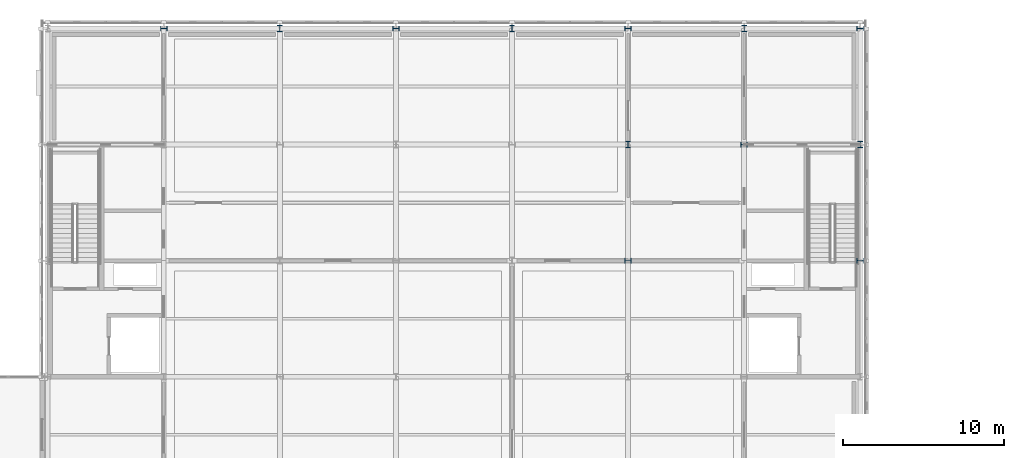
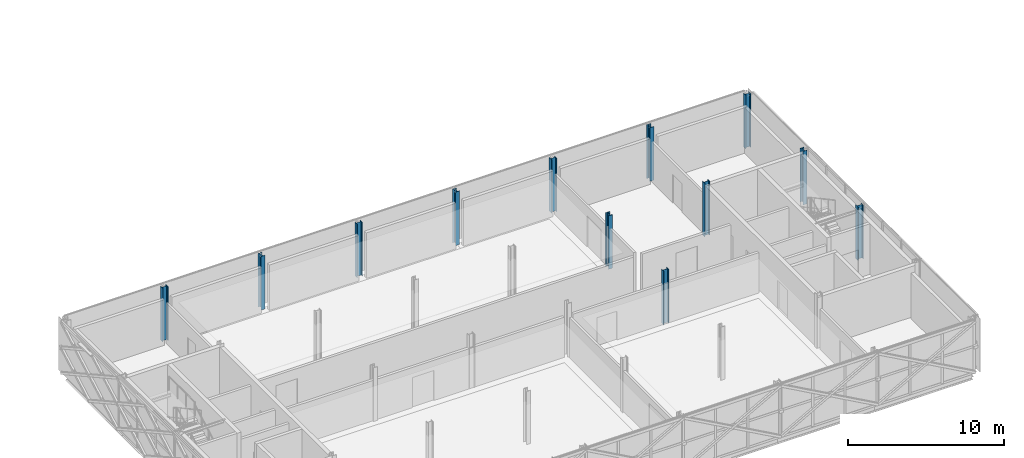
# One storey, part 13 of 126: 12 columns.
"""IFC4 building model written with IfcOpenShell, lengths in metres."""

from ifc_helpers import new_model, si_unit, direction, frame, origin, origin_2d, place, context, subcontext, project, spatial, i_section, extrude, material, material_profile, profile_set, type_object, element, save


model = new_model("IFC4")

# Units and contexts
model_context = context("Model", 3, precision=1e-05, world=origin(), true_north=direction((0.0, 1.0)))
body_context = subcontext(model_context, "Body", "Model", "MODEL_VIEW")
ifc_project = project(units=[si_unit("LENGTHUNIT", "METRE"), si_unit("AREAUNIT", "SQUARE_METRE"), si_unit("VOLUMEUNIT", "CUBIC_METRE"), si_unit("PLANEANGLEUNIT", "RADIAN"), si_unit("MASSUNIT", "GRAM", prefix="KILO")], contexts=[model_context])

# Site, building, storey
site_placement = place(None, origin())
site = spatial("IfcSite", under=ifc_project, at=site_placement, CompositionType="ELEMENT")
building_placement = place(site_placement, origin())
building = spatial("IfcBuilding", under=site, at=building_placement, Name="Zlatovets Crest Museum", CompositionType="ELEMENT")
storey_placement = place(building_placement, frame((0.0, 0.0, 8.699951171875)))
storey = spatial("IfcBuildingStorey", under=building, at=storey_placement, Name="L02", CompositionType="ELEMENT", Elevation=8.699951171875)

# Columns
ifc_material = material(Name="Structural steel S355J2", Category="steel")
ifc_material_profile = material_profile(ifc_material, i_section(OverallWidth=0.300048828125, OverallDepth=0.39990234375, WebThickness=0.013427734375, FlangeThickness=0.02392578125, FilletRadius=0.027099609375, at=origin_2d()), Name="HEB 400")
ifc_profile_set = profile_set([ifc_material_profile], Name="Structural steel S355J2")
column_type = type_object("IfcColumnType", Name="Col_C-07", PredefinedType="COLUMN", material=ifc_profile_set)
for number, where, z_axis, x_axis, name in (
    (1, (64.800048828125, 115.199951171875, 0.0), (0.0, 0.0, 1.0), (0.0, 1.0, 0.0), "V1 L02 Column (64.8, 115.2)"),
    (2, (72.0, 115.199951171875, 0.0), (0.0, 0.0, 1.0), (1.0, 0.0, 0.0), "V1 L02 Column (72.0, 115.2)"),
    (3, (79.199951171875, 115.199951171875, 0.0), (0.0, 0.0, 1.0), (0.0, 1.0, 0.0), "V1 L02 Column (79.2, 115.2)"),
    (4, (86.39990234375, 115.199951171875, 0.0), (0.0, 0.0, 1.0), (1.0, 0.0, 0.0), "V1 L02 Column (86.4, 115.2)"),
    (5, (93.60009765625, 100.800048828125, 0.0), (0.0, 0.0, 1.0), (0.0, 1.0, 0.0), "V1 L02 Column (93.6, 100.8)"),
    (6, (93.60009765625, 108.0, 0.0), (0.0, 0.0, 1.0), (1.0, 0.0, 0.0), "V1 L02 Column (93.6, 108.0)"),
    (7, (93.60009765625, 115.199951171875, 0.0), (0.0, 0.0, 1.0), (0.0, 1.0, 0.0), "V1 L02 Column (93.6, 115.2)"),
    (8, (100.800048828125, 108.0, 0.0), (0.0, 0.0, 1.0), (0.0, 1.0, 0.0), "V1 L02 Column (100.8, 108.0)"),
    (9, (100.800048828125, 115.199951171875, 0.0), (0.0, 0.0, 1.0), (1.0, 0.0, 0.0), "V1 L02 Column (100.8, 115.2)"),
    (10, (108.0, 100.800048828125, 0.0), (0.0, 0.0, 1.0), (0.0, 1.0, 0.0), "V1 L02 Column (108.0, 100.8)"),
    (11, (108.0, 108.0, 0.0), (0.0, 0.0, 1.0), (1.0, 0.0, 0.0), "V1 L02 Column (108.0, 108.0)"),
    (12, (108.0, 115.199951171875, 0.0), (0.0, 0.0, 1.0), (0.0, 1.0, 0.0), "V1 L02 Column (108.0, 115.2)"),
):
    element("IfcColumn", number, at=place(storey_placement, frame(where, z_axis=z_axis, x_axis=x_axis)), inside=storey, type_object=column_type, Name=name, PredefinedType="COLUMN", context=body_context, shape_type="SweptSolid", body=[
        extrude(i_section(OverallWidth=0.300048828125, OverallDepth=0.39990234375, WebThickness=0.013427734375, FlangeThickness=0.02392578125, FilletRadius=0.027099609375, at=origin_2d()), origin(), (0.0, 0.0, 1.0), 4.199951171875),
    ])

save(model, "model.ifc")
